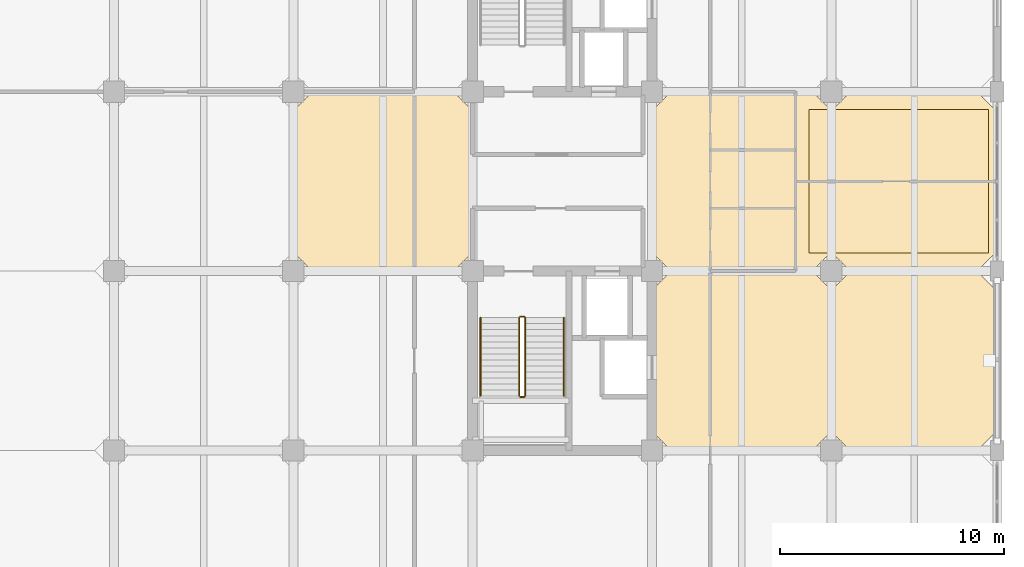
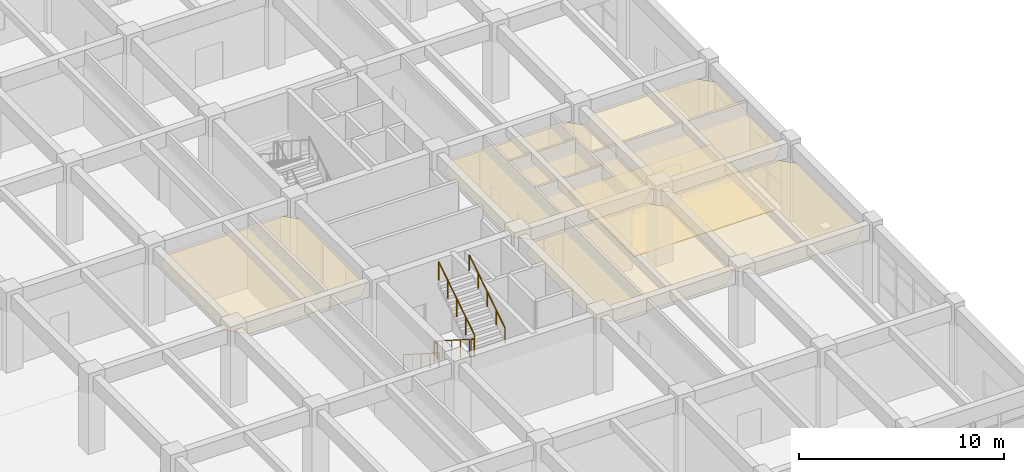
# One storey, part 61 of 63: 6 coverings, 6 railings.
"""IFC4 building model written with IfcOpenShell, lengths in metres."""

from ifc_helpers import new_model, si_unit, direction, frame, origin, origin_2d, place, context, subcontext, project, spatial, polyline, circle, outline, extrude, material, layer, layer_set, type_object, element, save


model = new_model("IFC4")

# Units and contexts
model_context = context("Model", 3, precision=1e-05, world=origin(), true_north=direction((0.0, 1.0)))
body_context = subcontext(model_context, "Body", "Model", "MODEL_VIEW")
ifc_project = project(units=[si_unit("LENGTHUNIT", "METRE"), si_unit("AREAUNIT", "SQUARE_METRE"), si_unit("VOLUMEUNIT", "CUBIC_METRE"), si_unit("PLANEANGLEUNIT", "RADIAN"), si_unit("MASSUNIT", "GRAM", prefix="KILO")], contexts=[model_context])

# Site, building, storey
site_placement = place(None, origin())
site = spatial("IfcSite", under=ifc_project, at=site_placement, CompositionType="ELEMENT")
building_placement = place(site_placement, origin())
building = spatial("IfcBuilding", under=site, at=building_placement, Name="Canggui Botanical Conservatory", CompositionType="ELEMENT")
storey_placement = place(building_placement, frame((0.0, 0.0, 10.199951171875)))
storey = spatial("IfcBuildingStorey", under=building, at=storey_placement, Name="L03", CompositionType="ELEMENT", Elevation=10.199951171875)

# Coverings
ifc_material_1 = material(Name="Mineral Fibre Acoustic Board")
ifc_layer_1 = layer(ifc_material_1, 0.014892578125, Name="Mineral Fibre Acoustic Board")
ifc_layer_set_1 = layer_set([ifc_layer_1], Name="Mineral Fibre Acoustic Board")
covering_type_1 = type_object("IfcCoveringType", Name="COV-CEIL-15", PredefinedType="CEILING", material=ifc_layer_set_1)
covering_1_placement = place(storey_placement, frame((0.0, 0.0, 3.635009765625)))
element("IfcCovering", 1, at=covering_1_placement, inside=storey, type_object=covering_type_1, Name="Suspended Acoustic Ceiling L03-162-42", PredefinedType="CEILING", context=body_context, shape_type="SweptSolid", body=[
    extrude(outline(polyline([(162.85009765625, 42.0), (169.14990234375, 42.0), (170.0, 42.85009765625), (170.0, 49.14990234375), (169.14990234375, 50.0), (162.85009765625, 50.0), (162.0, 49.14990234375), (162.0, 42.85009765625), (162.85009765625, 42.0)])), origin(), (0.0, 0.0, 1.0), 0.01513671875),
])
covering_2_placement = place(storey_placement, frame((0.0, 0.0, 3.635009765625)))
element("IfcCovering", 2, at=covering_2_placement, inside=storey, type_object=covering_type_1, Name="Suspended Acoustic Ceiling L03-170-50", PredefinedType="CEILING", context=body_context, shape_type="SweptSolid", body=[
    extrude(outline(polyline([(170.85009765625, 50.0), (176.5, 50.0), (177.35009765625, 50.85009765625), (177.35009765625, 57.14990234375), (176.5, 58.0), (170.85009765625, 58.0), (170.0, 57.14990234375), (170.0, 50.85009765625), (170.85009765625, 50.0)])), origin(), (0.0, 0.0, 1.0), 0.01513671875),
])
ifc_material_2 = material(Name="Perforated Gypsum Acoustic Panel")
ifc_layer_2 = layer(ifc_material_2, 0.02001953125, Name="Perforated Gypsum Acoustic Panel")
ifc_layer_set_2 = layer_set([ifc_layer_2], Name="Perforated Gypsum Acoustic Panel")
covering_type_2 = type_object("IfcCoveringType", Name="COV-CEIL-20", PredefinedType="CEILING", material=ifc_layer_set_2)
covering_3_placement = place(storey_placement, frame((0.0, 0.0, 3.630126953125)))
element("IfcCovering", 3, at=covering_3_placement, inside=storey, type_object=covering_type_2, Name="Suspended Acoustic Ceiling L03-146-50", PredefinedType="CEILING", context=body_context, shape_type="SweptSolid", body=[
    extrude(outline(polyline([(146.85009765625, 50.0), (153.14990234375, 50.0), (154.0, 50.85009765625), (154.0, 57.14990234375), (153.14990234375, 58.0), (146.85009765625, 58.0), (146.0, 57.14990234375), (146.0, 50.85009765625), (146.85009765625, 50.0)])), origin(), (0.0, 0.0, 1.0), 0.02001953125),
])
covering_4_placement = place(storey_placement, frame((0.0, 0.0, 3.630126953125)))
element("IfcCovering", 4, at=covering_4_placement, inside=storey, type_object=covering_type_2, Name="Suspended Acoustic Ceiling L03-162-50", PredefinedType="CEILING", context=body_context, shape_type="SweptSolid", body=[
    extrude(outline(polyline([(162.85009765625, 50.0), (169.14990234375, 50.0), (170.0, 50.85009765625), (170.0, 57.14990234375), (169.14990234375, 58.0), (162.85009765625, 58.0), (162.0, 57.14990234375), (162.0, 50.85009765625), (162.85009765625, 50.0)])), origin(), (0.0, 0.0, 1.0), 0.02001953125),
])
covering_5_placement = place(storey_placement, frame((0.0, 0.0, 3.630126953125)))
element("IfcCovering", 5, at=covering_5_placement, inside=storey, type_object=covering_type_2, Name="Suspended Acoustic Ceiling L03-170-42", PredefinedType="CEILING", context=body_context, shape_type="SweptSolid", body=[
    extrude(outline(polyline([(170.85009765625, 42.0), (176.5, 42.0), (177.35009765625, 42.85009765625), (177.35009765625, 49.14990234375), (176.5, 50.0), (170.85009765625, 50.0), (170.0, 49.14990234375), (170.0, 42.85009765625), (170.85009765625, 42.0)])), origin(), (0.0, 0.0, 1.0), 0.02001953125),
])
ifc_material_3 = material(Name="Honed Granite Stone Tile", Category="masonry")
ifc_layer_3 = layer(ifc_material_3, 0.02001953125, Name="Honed Granite Stone Tile", Category="masonry")
ifc_layer_set_3 = layer_set([ifc_layer_3], Name="Honed Granite Stone Tile")
covering_type_3 = type_object("IfcCoveringType", Name="COV-FLR-20", PredefinedType="FLOORING", material=ifc_layer_set_3)
covering_6_placement = place(storey_placement, origin())
element("IfcCovering", 6, at=covering_6_placement, inside=storey, type_object=covering_type_3, Name="Laboratory Finish Flooring L03", PredefinedType="FLOORING", context=body_context, shape_type="SweptSolid", body=[
    extrude(outline(polyline([(169.0, 50.800048828125), (177.0, 50.800048828125), (177.0, 57.199951171875), (169.0, 57.199951171875), (169.0, 50.800048828125)])), origin(), (0.0, 0.0, 1.0), 0.02001953125),
])

# Railings
ifc_material_4 = material(Name="Stainless Steel 304", Category="steel")
railing_type_1 = type_object("IfcRailingType", Name="RAIL-GUARD-1100", PredefinedType="BALUSTRADE", material=ifc_material_4)
railing_1_placement = place(storey_placement, frame((156.070068359375, 47.919921875, 0.17138671875)))
element("IfcRailing", 7, at=railing_1_placement, inside=storey, type_object=railing_type_1, Name="L03 ST-T1 stair guard 1", PredefinedType="BALUSTRADE", context=body_context, shape_type="SweptSolid", body=[
    extrude(circle(Radius=0.02392578125, at=origin_2d()), frame((0.0, 0.0, 1.076171875), z_axis=(0.0, -0.842373232634, 0.538894550856), x_axis=(1.0, 0.0, 0.0)), (0.0, 0.0, 1.0), 4.1357421875),
    extrude(circle(Radius=0.02099609375, at=origin_2d()), origin(), (0.0, 0.0, 1.0), 1.052001953125),
    extrude(circle(Radius=0.02099609375, at=origin_2d()), frame((0.0, -0.87109375, 0.55712890625)), (0.0, 0.0, 1.0), 1.052001953125),
    extrude(circle(Radius=0.02099609375, at=origin_2d()), frame((0.0, -1.741943359375, 1.1142578125)), (0.0, 0.0, 1.0), 1.052001953125),
    extrude(circle(Radius=0.02099609375, at=origin_2d()), frame((0.0, -2.61279296875, 1.671630859375)), (0.0, 0.0, 1.0), 1.052001953125),
    extrude(circle(Radius=0.02099609375, at=origin_2d()), frame((0.0, -3.48388671875, 2.228759765625)), (0.0, 0.0, 1.0), 1.052001953125),
])
railing_2_placement = place(storey_placement, frame((156.1201171875, 44.385986328125, 2.400146484375)))
element("IfcRailing", 8, at=railing_2_placement, inside=storey, type_object=railing_type_1, Name="L03 ST-T1 stair guard 2", PredefinedType="BALUSTRADE", context=body_context, shape_type="SweptSolid", body=[
    extrude(circle(Radius=0.02392578125, at=origin_2d()), frame((0.0, 0.0, 1.076171875), z_axis=(1.0, 0.0, 0.0), x_axis=(0.0, 1.0, 0.0)), (0.0, 0.0, 1.0), 0.179931640625),
    extrude(circle(Radius=0.02099609375, at=origin_2d()), origin(), (0.0, 0.0, 1.0), 1.052001953125),
    extrude(circle(Radius=0.02099609375, at=origin_2d()), frame((0.179931640625, 0.0, 0.0)), (0.0, 0.0, 1.0), 1.052001953125),
])
railing_3_placement = place(storey_placement, frame((156.35009765625, 44.43603515625, 2.571533203125)))
element("IfcRailing", 9, at=railing_3_placement, inside=storey, type_object=railing_type_1, Name="L03 ST-T1 stair guard 3", PredefinedType="BALUSTRADE", context=body_context, shape_type="SweptSolid", body=[
    extrude(circle(Radius=0.02392578125, at=origin_2d()), frame((0.0, 0.0, 1.076171875), z_axis=(0.0, 0.842400029615, 0.53885266085), x_axis=(-1.0, 0.0, 0.0)), (0.0, 0.0, 1.0), 4.1357421875),
    extrude(circle(Radius=0.02099609375, at=origin_2d()), origin(), (0.0, 0.0, 1.0), 1.052001953125),
    extrude(circle(Radius=0.02099609375, at=origin_2d()), frame((0.0, 0.87109375, 0.55712890625)), (0.0, 0.0, 1.0), 1.052001953125),
    extrude(circle(Radius=0.02099609375, at=origin_2d()), frame((0.0, 1.741943359375, 1.1142578125)), (0.0, 0.0, 1.0), 1.052001953125),
    extrude(circle(Radius=0.02099609375, at=origin_2d()), frame((0.0, 2.61279296875, 1.67138671875)), (0.0, 0.0, 1.0), 1.052001953125),
    extrude(circle(Radius=0.02099609375, at=origin_2d()), frame((0.0, 3.48388671875, 2.228515625)), (0.0, 0.0, 1.0), 1.052001953125),
])
railing_4_placement = place(storey_placement, frame((156.1201171875, 47.969970703125, 0.0)))
element("IfcRailing", 10, at=railing_4_placement, inside=storey, type_object=railing_type_1, Name="L03 ST-T1 stair guard 4", PredefinedType="BALUSTRADE", context=body_context, shape_type="SweptSolid", body=[
    extrude(circle(Radius=0.02392578125, at=origin_2d()), frame((0.0, 0.0, 1.076171875), z_axis=(1.0, 0.0, 0.0), x_axis=(0.0, 1.0, 0.0)), (0.0, 0.0, 1.0), 0.179931640625),
    extrude(circle(Radius=0.02099609375, at=origin_2d()), origin(), (0.0, 0.0, 1.0), 1.052001953125),
    extrude(circle(Radius=0.02099609375, at=origin_2d()), frame((0.179931640625, 0.0, 0.0)), (0.0, 0.0, 1.0), 1.052001953125),
])
railing_type_2 = type_object("IfcRailingType", Name="RAIL-HAND-900", PredefinedType="HANDRAIL", material=ifc_material_4)
railing_5_placement = place(storey_placement, frame((154.35009765625, 47.919921875, 0.17138671875)))
element("IfcRailing", 11, at=railing_5_placement, inside=storey, type_object=railing_type_2, Name="L03 ST-T1 stair handrail 1", PredefinedType="HANDRAIL", context=body_context, shape_type="SweptSolid", body=[
    extrude(circle(Radius=0.02392578125, at=origin_2d()), frame((0.0, 0.0, 0.8759765625), z_axis=(0.0, -0.842373232634, 0.538894550856), x_axis=(1.0, 0.0, 0.0)), (0.0, 0.0, 1.0), 4.1357421875),
    extrude(circle(Radius=0.02099609375, at=origin_2d()), origin(), (0.0, 0.0, 1.0), 0.851806640625),
    extrude(circle(Radius=0.02099609375, at=origin_2d()), frame((0.0, -0.87109375, 0.55712890625)), (0.0, 0.0, 1.0), 0.851806640625),
    extrude(circle(Radius=0.02099609375, at=origin_2d()), frame((0.0, -1.741943359375, 1.1142578125)), (0.0, 0.0, 1.0), 0.851806640625),
    extrude(circle(Radius=0.02099609375, at=origin_2d()), frame((0.0, -2.61279296875, 1.671630859375)), (0.0, 0.0, 1.0), 0.851806640625),
    extrude(circle(Radius=0.02099609375, at=origin_2d()), frame((0.0, -3.48388671875, 2.228759765625)), (0.0, 0.0, 1.0), 0.851806640625),
])
railing_6_placement = place(storey_placement, frame((158.070068359375, 44.43603515625, 2.571533203125)))
element("IfcRailing", 12, at=railing_6_placement, inside=storey, type_object=railing_type_2, Name="L03 ST-T1 stair handrail 2", PredefinedType="HANDRAIL", context=body_context, shape_type="SweptSolid", body=[
    extrude(circle(Radius=0.02392578125, at=origin_2d()), frame((0.0, 0.0, 0.8759765625), z_axis=(0.0, 0.842400029615, 0.53885266085), x_axis=(-1.0, 0.0, 0.0)), (0.0, 0.0, 1.0), 4.1357421875),
    extrude(circle(Radius=0.02099609375, at=origin_2d()), origin(), (0.0, 0.0, 1.0), 0.851806640625),
    extrude(circle(Radius=0.02099609375, at=origin_2d()), frame((0.0, 0.87109375, 0.55712890625)), (0.0, 0.0, 1.0), 0.851806640625),
    extrude(circle(Radius=0.02099609375, at=origin_2d()), frame((0.0, 1.741943359375, 1.1142578125)), (0.0, 0.0, 1.0), 0.851806640625),
    extrude(circle(Radius=0.02099609375, at=origin_2d()), frame((0.0, 2.61279296875, 1.67138671875)), (0.0, 0.0, 1.0), 0.851806640625),
    extrude(circle(Radius=0.02099609375, at=origin_2d()), frame((0.0, 3.48388671875, 2.228515625)), (0.0, 0.0, 1.0), 0.851806640625),
])

save(model, "model.ifc")
